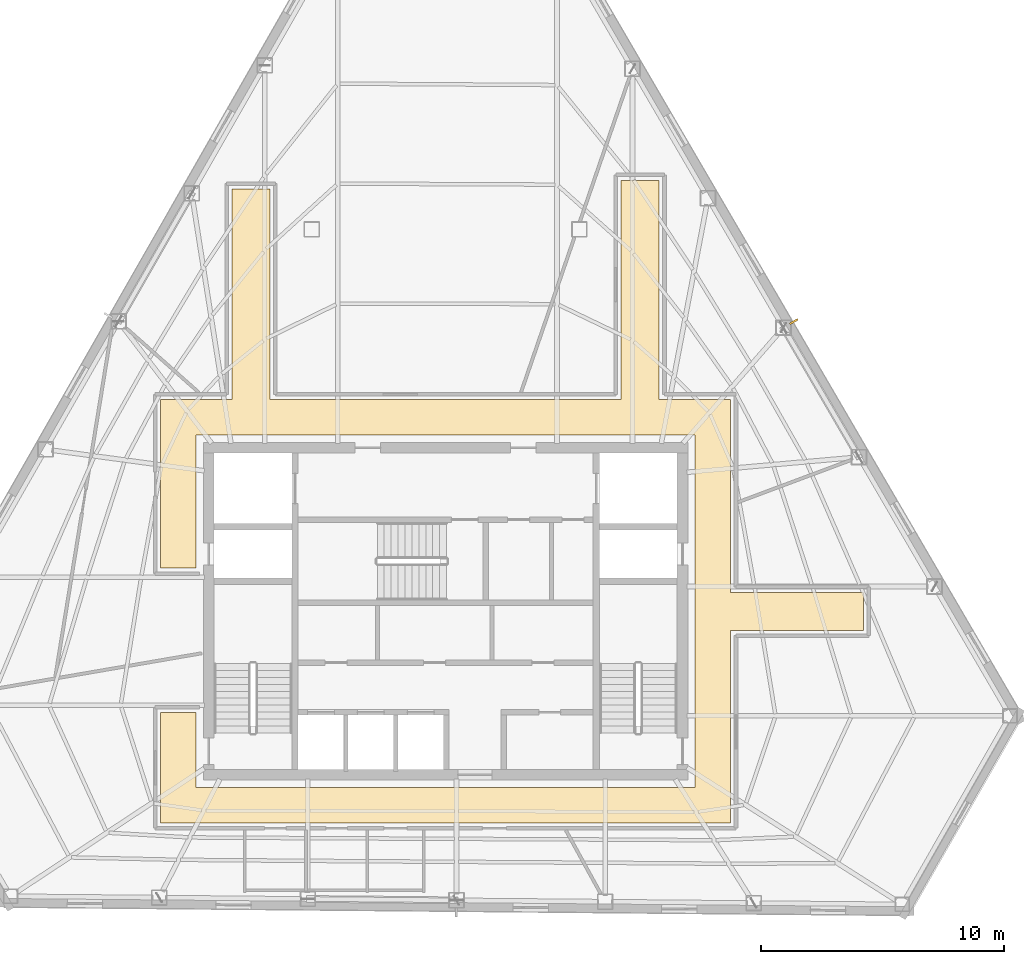
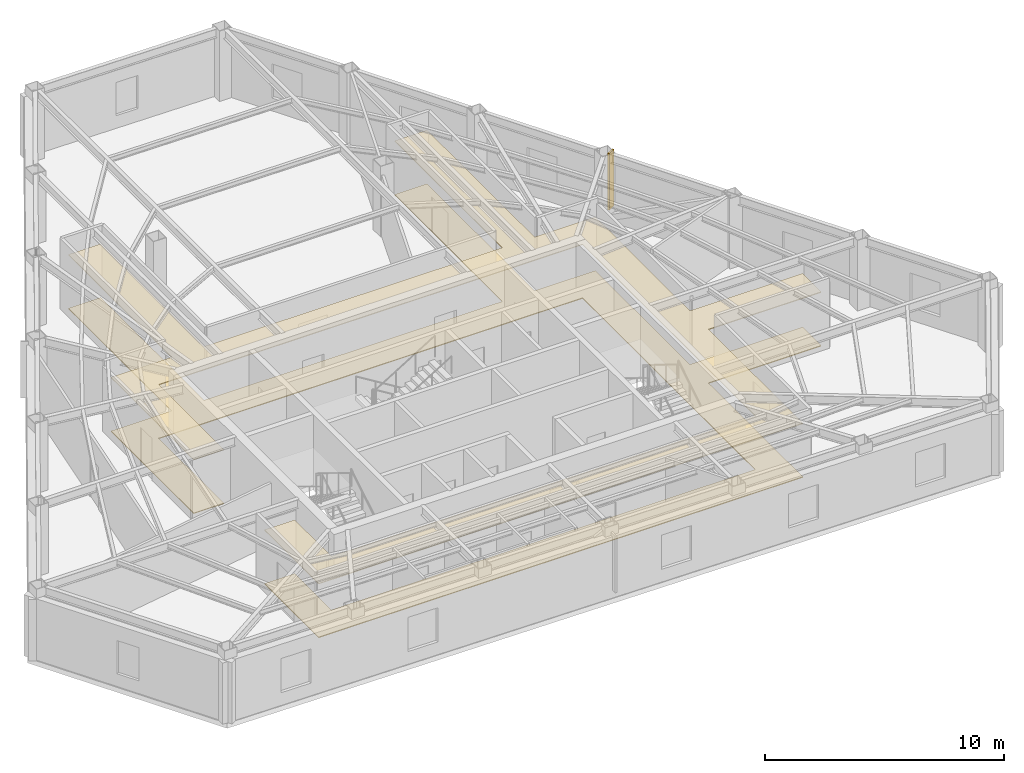
# One storey, part 11 of 11: 2 coverings, 1 shading device.
"""IFC4 building model written with IfcOpenShell, lengths in metres."""

from ifc_helpers import new_model, si_unit, direction, frame, origin, origin_2d, place, context, subcontext, project, spatial, polyline, rectangle, outline, extrude, material, layer, layer_set, type_object, element, save


model = new_model("IFC4")

# Units and contexts
model_context = context("Model", 3, precision=1e-05, world=origin(), true_north=direction((0.0, 1.0)))
body_context = subcontext(model_context, "Body", "Model", "MODEL_VIEW")
ifc_project = project(units=[si_unit("LENGTHUNIT", "METRE"), si_unit("AREAUNIT", "SQUARE_METRE"), si_unit("VOLUMEUNIT", "CUBIC_METRE"), si_unit("PLANEANGLEUNIT", "RADIAN"), si_unit("MASSUNIT", "GRAM", prefix="KILO")], contexts=[model_context])

# Site, building, storey
site_placement = place(None, origin())
site = spatial("IfcSite", under=ifc_project, at=site_placement, CompositionType="ELEMENT")
building_placement = place(site_placement, origin())
building = spatial("IfcBuilding", under=site, at=building_placement, Name="Kavelnor Concourse Tower", CompositionType="ELEMENT")
storey_placement = place(building_placement, frame((0.0, 0.0, 184.25)))
storey = spatial("IfcBuildingStorey", under=building, at=storey_placement, Name="L46", CompositionType="ELEMENT", Elevation=184.25)

# Coverings
ifc_material_1 = material(Name="Mineral fibre acoustic ceiling tile")
ifc_layer_1 = layer(ifc_material_1, 0.0400390625, Name="Mineral fibre acoustic ceiling tile")
ifc_layer_set_1 = layer_set([ifc_layer_1], Name="Mineral fibre acoustic ceiling tile")
covering_type_1 = type_object("IfcCoveringType", Name="COV-CEILING-ACOUSTIC", PredefinedType="CEILING", material=ifc_layer_set_1)
covering_1_placement = place(storey_placement, frame((0.0, 0.0, 2.75)))
element("IfcCovering", 1, at=covering_1_placement, inside=storey, type_object=covering_type_1, Name="L46 Suspended Acoustic Ceiling", PredefinedType="CEILING", context=body_context, shape_type="SweptSolid", body=[
    extrude(outline(polyline([(29.219970703125, 24.800048828125), (29.219970703125, 33.4619140625), (30.780029296875, 33.4619140625), (30.780029296875, 24.800048828125), (45.219970703125, 24.800048828125), (45.219970703125, 33.822509765625), (46.780029296875, 33.822509765625), (46.780029296875, 24.800048828125), (49.719970703125, 24.800048828125), (49.719970703125, 16.8798828125), (55.179931640625, 16.8798828125), (55.179931640625, 15.320068359375), (49.719970703125, 15.320068359375), (49.719970703125, 7.39990234375), (26.280029296875, 7.39990234375), (26.280029296875, 11.929931640625), (27.739990234375, 11.929931640625), (27.739990234375, 8.860107421875), (48.260009765625, 8.860107421875), (48.260009765625, 23.340087890625), (27.739990234375, 23.340087890625), (27.739990234375, 17.8701171875), (26.280029296875, 17.8701171875), (26.280029296875, 24.800048828125), (29.219970703125, 24.800048828125)])), origin(), (0.0, 0.0, 1.0), 0.0400390625),
])
ifc_material_2 = material(Name="Honed bluestone and raised access floor finish", Category="masonry")
ifc_layer_2 = layer(ifc_material_2, 0.0400390625, Name="Honed bluestone and raised access floor finish")
ifc_layer_set_2 = layer_set([ifc_layer_2], Name="Honed bluestone and raised access floor finish")
covering_type_2 = type_object("IfcCoveringType", Name="COV-FLOOR-STONE", PredefinedType="FLOORING", material=ifc_layer_set_2)
covering_2_placement = place(storey_placement, frame((0.0, 0.0, 0.001953125)))
element("IfcCovering", 2, at=covering_2_placement, inside=storey, type_object=covering_type_2, Name="L46 Honed Bluestone Floor Finish", PredefinedType="FLOORING", context=body_context, shape_type="SweptSolid", body=[
    extrude(outline(polyline([(29.219970703125, 24.800048828125), (29.219970703125, 33.4619140625), (30.780029296875, 33.4619140625), (30.780029296875, 24.800048828125), (45.219970703125, 24.800048828125), (45.219970703125, 33.822509765625), (46.780029296875, 33.822509765625), (46.780029296875, 24.800048828125), (49.719970703125, 24.800048828125), (49.719970703125, 16.8798828125), (55.179931640625, 16.8798828125), (55.179931640625, 15.320068359375), (49.719970703125, 15.320068359375), (49.719970703125, 7.39990234375), (26.280029296875, 7.39990234375), (26.280029296875, 11.929931640625), (27.739990234375, 11.929931640625), (27.739990234375, 8.860107421875), (48.260009765625, 8.860107421875), (48.260009765625, 23.340087890625), (27.739990234375, 23.340087890625), (27.739990234375, 17.8701171875), (26.280029296875, 17.8701171875), (26.280029296875, 24.800048828125), (29.219970703125, 24.800048828125)])), origin(), (0.0, 0.0, 1.0), 0.0400390625),
])

# Shading device
ifc_material_3 = material(Name="Architectural bronze-anodised aluminium", Category="aluminium")
ifc_layer_3 = layer(ifc_material_3, 0.06005859375, Name="Architectural bronze-anodised aluminium")
ifc_layer_set_3 = layer_set([ifc_layer_3], Name="Architectural bronze-anodised aluminium")
shading_device_type = type_object("IfcShadingDeviceType", Name="SHD-SOLAR-FIN", PredefinedType="JALOUSIE", material=ifc_layer_set_3)
shading_device_placement = place(storey_placement, frame((52.31689453125, 28.010009765625, 0.400146484375), z_axis=(0.0, 0.0, 1.0), x_axis=(0.863747566902, 0.503924737109, 0.0)))
element("IfcShadingDevice", 3, at=shading_device_placement, inside=storey, type_object=shading_device_type, Name="L46 Bronze Pier Solar Fin F2", PredefinedType="JALOUSIE", context=body_context, shape_type="SweptSolid", body=[
    extrude(rectangle(XDim=0.3798828125, YDim=0.080078125, at=origin_2d()), origin(), (0.0, 0.0, 1.0), 2.89990234375),
])

save(model, "model.ifc")
